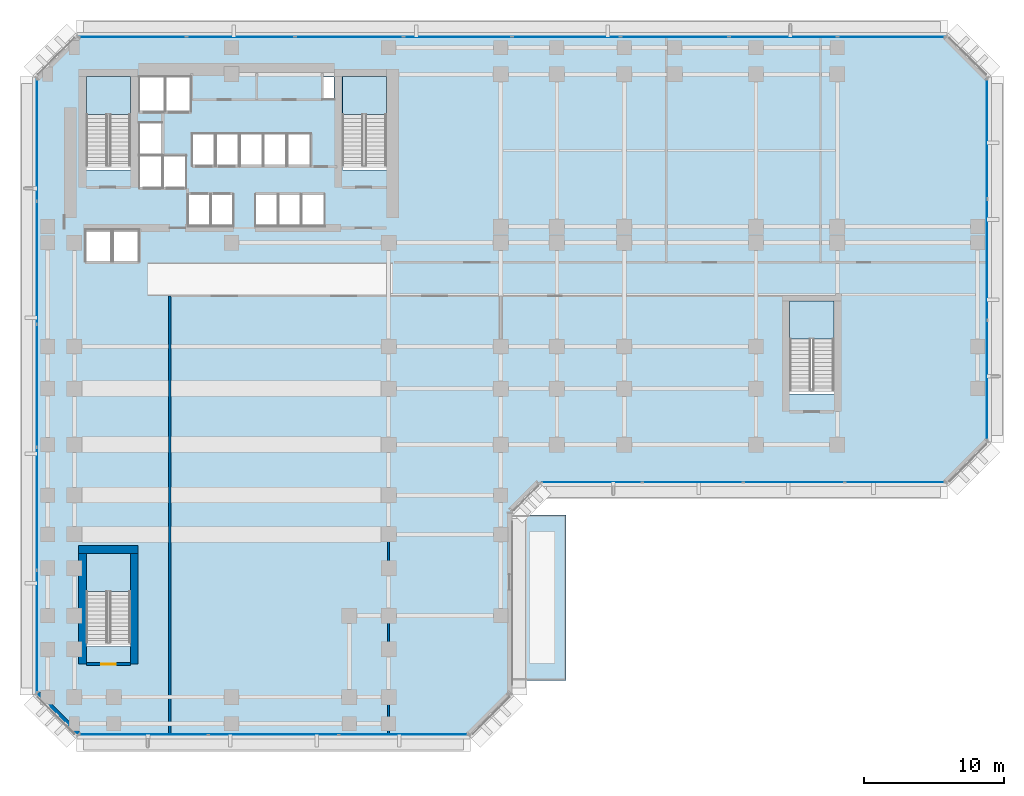
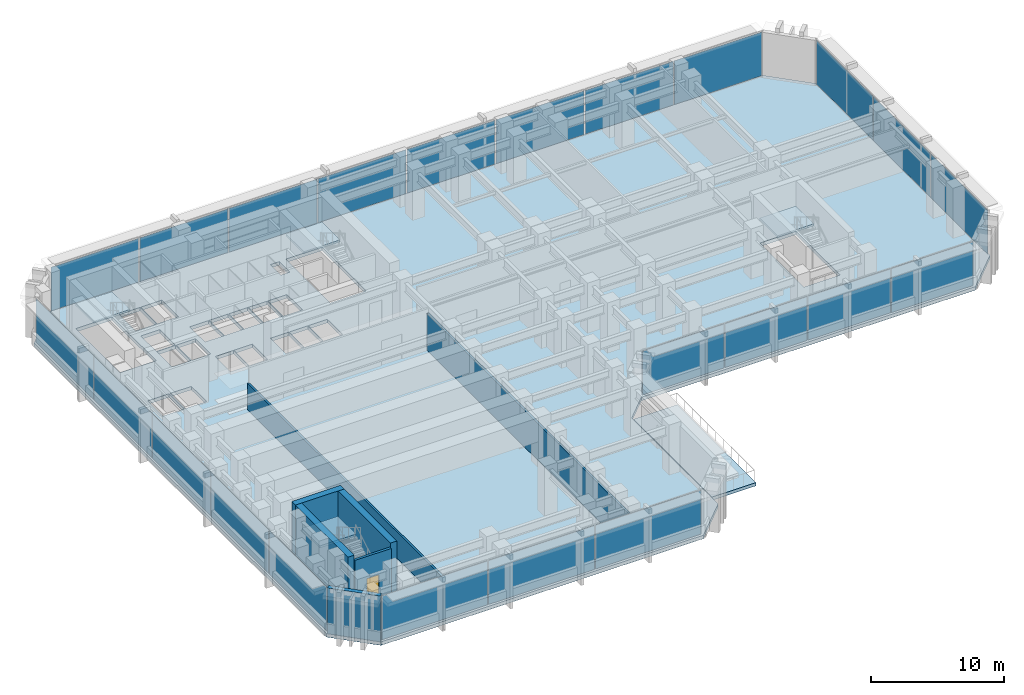
# One storey, part 6 of 16: 23 plates, 7 walls, 6 slabs, 1 door, 1 opening, 9 elements without a shape of their own.
"""IFC4 building model written with IfcOpenShell, lengths in metres."""

import ifcopenshell
import ifcopenshell.guid

model = None  # the IFC model being written
_history = None  # IfcOwnerHistory: only IFC2X3 demands one
_inside = {}  # id of a spatial element -> (the spatial element, [elements in it])
_under = {}  # id of a project, library or spatial element -> (it, [spatial elements below it])
_declared = {}  # id of a project -> (the project, [libraries it declares])
_typed = {}  # id of a type object -> (the type object, [elements of that type])
_made_of = {}  # id of a material, layer set ... -> (it, [elements and type objects made of it])


def new_model(schema):
    """Start an empty IFC model of exactly this schema.

    Asked for "IFC4X3", IfcOpenShell would pick the latest addendum, in which some entities
    have other attributes; the version numbers below select the first issue.
    IFC2X3 requires an IfcOwnerHistory on every rooted entity: one is made here for all.
    """
    global model, _history
    if schema == "IFC4X3":
        model = ifcopenshell.file(schema_version=(4, 3, 0, 0))
    else:
        model = ifcopenshell.file(schema=schema)
    _inside.clear()
    _under.clear()
    _declared.clear()
    _typed.clear()
    _made_of.clear()
    _history = None
    if model.schema == "IFC2X3":
        org = make("IfcOrganization", Name="unknown")
        user = make(
            "IfcPersonAndOrganization",
            ThePerson=make("IfcPerson", FamilyName="unknown"),
            TheOrganization=org,
        )
        app = make(
            "IfcApplication",
            ApplicationDeveloper=org,
            Version="unknown",
            ApplicationFullName="unknown",
            ApplicationIdentifier="unknown",
        )
        _history = make(
            "IfcOwnerHistory",
            OwningUser=user,
            OwningApplication=app,
            ChangeAction="ADDED",
            CreationDate=0,
        )
    return model


def make(cls, **values):
    """One entity of the class cls with the attributes given. An attribute that is None is left unset."""
    return model.create_entity(
        cls, **{name: value for name, value in values.items() if value is not None}
    )


def rooted(cls, **values):
    """An entity with a GlobalId (a new one), such as an element, a storey or a relation."""
    return make(cls, GlobalId=ifcopenshell.guid.new(), OwnerHistory=_history, **values)


def si_unit(unit_type, name, prefix=None):
    """IfcSIUnit, for example si_unit("LENGTHUNIT", "METRE", prefix="MILLI")."""
    return make("IfcSIUnit", UnitType=unit_type, Prefix=prefix, Name=name)


def assignment(units):
    """IfcUnitAssignment: the units of a project."""
    return None if units is None else make("IfcUnitAssignment", Units=units)


def point(xyz):
    """IfcCartesianPoint."""
    return None if xyz is None else make("IfcCartesianPoint", Coordinates=xyz)


def direction(xyz):
    """IfcDirection."""
    return None if xyz is None else make("IfcDirection", DirectionRatios=xyz)


def frame(location, z_axis=None, x_axis=None):
    """IfcAxis2Placement3D, a coordinate frame: its origin and axes. An axis left out is left unset."""
    return make(
        "IfcAxis2Placement3D",
        Location=point(location),
        Axis=direction(z_axis),
        RefDirection=direction(x_axis),
    )


def frame_2d(location, x_axis=None):
    """IfcAxis2Placement2D, a coordinate frame in the plane: its origin and x axis."""
    return make(
        "IfcAxis2Placement2D", Location=point(location), RefDirection=direction(x_axis)
    )


def origin():
    """The frame at (0, 0, 0) with its axes left unset."""
    return frame((0.0, 0.0, 0.0))


def origin_2d():
    """The frame at (0, 0) in the plane with its x axis left unset."""
    return frame_2d((0.0, 0.0))


def place(relative_to, where):
    """IfcLocalPlacement: puts the frame where relative to a parent placement (None: the world)."""
    return make(
        "IfcLocalPlacement", PlacementRelTo=relative_to, RelativePlacement=where
    )


def context(
    kind, dimensions, precision=None, world=None, true_north=None, identifier=None
):
    """IfcGeometricRepresentationContext, for example the 3D "Model" context."""
    return make(
        "IfcGeometricRepresentationContext",
        ContextIdentifier=identifier,
        ContextType=kind,
        CoordinateSpaceDimension=dimensions,
        Precision=precision,
        WorldCoordinateSystem=world,
        TrueNorth=true_north,
    )


def subcontext(parent, identifier, kind, view, scale=None):
    """IfcGeometricRepresentationSubContext, for example "Body" below "Model"."""
    return make(
        "IfcGeometricRepresentationSubContext",
        ContextIdentifier=identifier,
        ContextType=kind,
        ParentContext=parent,
        TargetScale=scale,
        TargetView=view,
    )


def project(units=None, contexts=None):
    """IfcProject with its units and contexts."""
    return rooted(
        "IfcProject",
        Name="project",
        RepresentationContexts=contexts,
        UnitsInContext=assignment(units),
    )


def spatial(cls, under=None, at=None, **own):
    """A site, building, storey or space (cls), placed at a placement, below another one or the project."""
    s = rooted(cls, ObjectPlacement=at, **own)
    if under is not None:
        _under.setdefault(under.id(), (under, []))[1].append(s)
    return s


def polyline(points):
    """IfcPolyline through the points."""
    return make("IfcPolyline", Points=[point(p) for p in points])


def profile(cls, at=None, kind="AREA", **sizes):
    """A parametric profile (cls). Its sizes go by their IFC names, for example OverallWidth=200.0."""
    return make(cls, ProfileType=kind, Position=at, **sizes)


def rectangle(**sizes):
    """IfcRectangleProfileDef."""
    return profile("IfcRectangleProfileDef", **sizes)


def outline(outer, holes=None, kind="AREA"):
    """IfcArbitraryClosedProfileDef: a profile drawn as a closed curve; with holes, ...WithVoids."""
    if holes is None:
        return make("IfcArbitraryClosedProfileDef", ProfileType=kind, OuterCurve=outer)
    return make(
        "IfcArbitraryProfileDefWithVoids",
        ProfileType=kind,
        OuterCurve=outer,
        InnerCurves=holes,
    )


def extrude(swept, where, along, depth):
    """IfcExtrudedAreaSolid: the profile swept, set in the frame where, extruded along a direction by depth."""
    return make(
        "IfcExtrudedAreaSolid",
        SweptArea=swept,
        Position=where,
        ExtrudedDirection=direction(along),
        Depth=depth,
    )


def shape(context_of_items, identifier, shape_type, items):
    """IfcShapeRepresentation: the items that make up one representation, for example the "Body"."""
    return make(
        "IfcShapeRepresentation",
        ContextOfItems=context_of_items,
        RepresentationIdentifier=identifier,
        RepresentationType=shape_type,
        Items=items,
    )


def material(Name=None, Category=None):
    """IfcMaterial."""
    return make("IfcMaterial", Name=Name, Category=Category)


def layer(
    of_material, thickness, ventilated=None, Name=None, Category=None, Priority=None
):
    """IfcMaterialLayer: one layer of a wall or slab, of a material (None: an air gap)."""
    return make(
        "IfcMaterialLayer",
        Material=of_material,
        LayerThickness=thickness,
        IsVentilated=ventilated,
        Name=Name,
        Category=Category,
        Priority=Priority,
    )


def layer_set(layers, Name=None):
    """IfcMaterialLayerSet."""
    return make("IfcMaterialLayerSet", MaterialLayers=layers, LayerSetName=Name)


def made_of(thing, what):
    """Note that an element or type object is made of a material, layer set ...; save() writes the relation."""
    if what is not None:
        _made_of.setdefault(what.id(), (what, []))[1].append(thing)
    return thing


def type_object(cls, material=None, **own):
    """A type object (cls), such as IfcWallType, which elements share."""
    return made_of(rooted(cls, **own), material)


def element(
    cls,
    number,
    at=None,
    inside=None,
    cuts=None,
    type_object=None,
    material=None,
    context=None,
    identifier="Body",
    shape_type=None,
    held_by="IfcProductDefinitionShape",
    body=None,
    shapes=None,
    **own,
):
    """One element of the class cls, such as IfcWall. Its Tag is "e" and its number.

    at: its placement. inside: the storey or other place that contains it. cuts: it is an
    opening in that element (IfcRelVoidsElement). A single representation is given by context,
    identifier, shape_type and body (its items); several are given by shapes. held_by: the class
    of the entity that holds the representations. save() writes the other relations.
    """
    e = rooted(cls, Tag="e%d" % number, ObjectPlacement=at, **own)
    if body is not None:
        shapes = [shape(context, identifier, shape_type, body)]
    if shapes is not None:
        e.Representation = make(held_by, Representations=shapes)
    if inside is not None:
        _inside.setdefault(inside.id(), (inside, []))[1].append(e)
    if cuts is not None:
        rooted(
            "IfcRelVoidsElement", RelatingBuildingElement=cuts, RelatedOpeningElement=e
        )
    if type_object is not None:
        _typed.setdefault(type_object.id(), (type_object, []))[1].append(e)
    return made_of(e, material)


def fill(opening, filler):
    """IfcRelFillsElement: the door or window that sits in an opening."""
    return rooted(
        "IfcRelFillsElement",
        RelatingOpeningElement=opening,
        RelatedBuildingElement=filler,
    )


def aggregate(whole, parts):
    """IfcRelAggregates: a whole, such as a stair, and the parts it consists of."""
    return rooted("IfcRelAggregates", RelatingObject=whole, RelatedObjects=parts)


def save(model, path):
    """Write the relations noted so far, then the file.

    IfcRelAggregates (storeys below a building ...), IfcRelContainedInSpatialStructure (elements
    in a storey), IfcRelDefinesByType, IfcRelAssociatesMaterial and IfcRelDeclares: one each for
    every whole, place, type object, material and project.
    """
    for whole, parts in _under.values():
        aggregate(whole, parts)
    for where, things in _inside.values():
        rooted(
            "IfcRelContainedInSpatialStructure",
            RelatedElements=things,
            RelatingStructure=where,
        )
    for kind, things in _typed.values():
        rooted("IfcRelDefinesByType", RelatedObjects=things, RelatingType=kind)
    for what, things in _made_of.values():
        rooted("IfcRelAssociatesMaterial", RelatedObjects=things, RelatingMaterial=what)
    for by, libraries in _declared.values():
        rooted("IfcRelDeclares", RelatingContext=by, RelatedDefinitions=libraries)
    model.write(path)


model = new_model("IFC4")

# Units and contexts
model_context = context("Model", 3, precision=1e-05, world=origin(), true_north=direction((0.0, 1.0)))
body_context = subcontext(model_context, "Body", "Model", "MODEL_VIEW")
ifc_project = project(units=[si_unit("LENGTHUNIT", "METRE"), si_unit("AREAUNIT", "SQUARE_METRE"), si_unit("VOLUMEUNIT", "CUBIC_METRE"), si_unit("PLANEANGLEUNIT", "RADIAN"), si_unit("MASSUNIT", "GRAM", prefix="KILO")], contexts=[model_context])

# Site, building, storey
site_placement = place(None, origin())
site = spatial("IfcSite", under=ifc_project, at=site_placement, CompositionType="ELEMENT")
building_placement = place(site_placement, origin())
building = spatial("IfcBuilding", under=site, at=building_placement, Name="Kefirva Bronze Tower", CompositionType="ELEMENT")
storey_placement = place(building_placement, frame((0.0, 0.0, 21.1201171875)))
storey = spatial("IfcBuildingStorey", under=building, at=storey_placement, Name="L04", CompositionType="ELEMENT", Elevation=21.1201171875)

# Slabs
ifc_material_1 = material(Name="Concrete C40/50", Category="concrete")
ifc_layer_1 = layer(ifc_material_1, 0.320068359375, Name="Concrete C40/50")
ifc_layer_set_1 = layer_set([ifc_layer_1], Name="Concrete C40/50")
slab_type_1 = type_object("IfcSlabType", Name="RC Podium Floor Slab 320mm", PredefinedType="FLOOR", material=ifc_layer_set_1)
slab_1_placement = place(storey_placement, frame((0.0, 0.0, -0.320068359375)))
element("IfcSlab", 1, at=slab_1_placement, inside=storey, type_object=slab_type_1, Name="L04 Structural Floor Slab", PredefinedType="FLOOR", context=body_context, shape_type="SweptSolid", body=[
    extrude(outline(polyline([(-2.0, 1.0), (-2.0, 45.0), (1.0, 48.0), (63.0, 48.0), (66.0, 45.0), (66.0, 19.0), (63.0, 16.0), (34.0, 16.0), (32.0, 14.0), (32.0, 1.0), (29.0, -2.0), (1.0, -2.0), (-2.0, 1.0)]), holes=[polyline([(54.949951171875, 22.39990234375), (54.949951171875, 29.050048828125), (51.800048828125, 29.050048828125), (51.800048828125, 22.39990234375), (54.949951171875, 22.39990234375)]), polyline([(19.89990234375, 38.39990234375), (23.050048828125, 38.39990234375), (23.050048828125, 45.050048828125), (19.89990234375, 45.050048828125), (19.89990234375, 38.39990234375)]), polyline([(18.52001953125, 43.419921875), (19.320068359375, 43.419921875), (19.320068359375, 45.0), (18.52001953125, 45.0), (18.52001953125, 43.419921875)]), polyline([(17.0, 34.35009765625), (18.64990234375, 34.35009765625), (18.64990234375, 36.64990234375), (17.0, 36.64990234375), (17.0, 34.35009765625)]), polyline([(17.64990234375, 38.679931640625), (17.64990234375, 40.97998046875), (16.0, 40.97998046875), (16.0, 38.679931640625), (17.64990234375, 38.679931640625)]), polyline([(15.35009765625, 34.35009765625), (16.949951171875, 34.35009765625), (16.949951171875, 36.64990234375), (15.35009765625, 36.64990234375), (15.35009765625, 34.35009765625)]), polyline([(14.300048828125, 38.679931640625), (15.929931640625, 38.679931640625), (15.929931640625, 40.97998046875), (14.300048828125, 40.97998046875), (14.300048828125, 38.679931640625)]), polyline([(15.300048828125, 34.35009765625), (15.300048828125, 36.64990234375), (13.699951171875, 36.64990234375), (13.699951171875, 34.35009765625), (15.300048828125, 34.35009765625)]), polyline([(12.60009765625, 38.679931640625), (14.22998046875, 38.679931640625), (14.22998046875, 40.97998046875), (12.60009765625, 40.97998046875), (12.60009765625, 38.679931640625)]), polyline([(12.530029296875, 38.679931640625), (12.530029296875, 40.97998046875), (10.89990234375, 40.97998046875), (10.89990234375, 38.679931640625), (12.530029296875, 38.679931640625)]), polyline([(12.139892578125, 34.35009765625), (12.139892578125, 36.64990234375), (10.5400390625, 36.64990234375), (10.5400390625, 34.35009765625), (12.139892578125, 34.35009765625)]), polyline([(9.199951171875, 38.679931640625), (10.830078125, 38.679931640625), (10.830078125, 40.97998046875), (9.199951171875, 40.97998046875), (9.199951171875, 38.679931640625)]), polyline([(8.89990234375, 34.35009765625), (10.5, 34.35009765625), (10.5, 36.64990234375), (8.89990234375, 36.64990234375), (8.89990234375, 34.35009765625)]), polyline([(7.300048828125, 42.550048828125), (9.1201171875, 42.550048828125), (9.1201171875, 45.050048828125), (7.300048828125, 45.050048828125), (7.300048828125, 42.550048828125)]), polyline([(8.780029296875, 37.10009765625), (8.780029296875, 39.39990234375), (7.139892578125, 39.39990234375), (7.139892578125, 37.10009765625), (8.780029296875, 37.10009765625)]), polyline([(5.419921875, 42.550048828125), (7.239990234375, 42.550048828125), (7.239990234375, 45.050048828125), (5.419921875, 45.050048828125), (5.419921875, 42.550048828125)]), polyline([(5.419921875, 39.47998046875), (7.06005859375, 39.47998046875), (7.06005859375, 41.780029296875), (5.419921875, 41.780029296875), (5.419921875, 39.47998046875)]), polyline([(5.419921875, 37.10009765625), (7.06005859375, 37.10009765625), (7.06005859375, 39.39990234375), (5.419921875, 39.39990234375), (5.419921875, 37.10009765625)]), polyline([(5.39990234375, 31.85009765625), (5.39990234375, 34.14990234375), (3.550048828125, 34.14990234375), (3.550048828125, 31.85009765625), (5.39990234375, 31.85009765625)]), polyline([(4.800048828125, 38.39990234375), (4.800048828125, 45.050048828125), (1.64990234375, 45.050048828125), (1.64990234375, 38.39990234375), (4.800048828125, 38.39990234375)]), polyline([(4.800048828125, 4.39990234375), (4.800048828125, 11.050048828125), (1.64990234375, 11.050048828125), (1.64990234375, 4.39990234375), (4.800048828125, 4.39990234375)]), polyline([(3.449951171875, 31.85009765625), (3.449951171875, 34.14990234375), (1.60009765625, 34.14990234375), (1.60009765625, 31.85009765625), (3.449951171875, 31.85009765625)])]), origin(), (0.0, 0.0, 1.0), 0.320068359375),
])
ifc_layer_2 = layer(ifc_material_1, 0.300048828125, Name="Concrete C40/50")
ifc_layer_set_2 = layer_set([ifc_layer_2], Name="Concrete C40/50")
slab_type_2 = type_object("IfcSlabType", Name="RC Podium Outdoor Terrace Slab 300mm", PredefinedType="ROOF", material=ifc_layer_set_2)
slab_2_placement = place(storey_placement, frame((0.0, 0.0, -0.300048828125)))
element("IfcSlab", 2, at=slab_2_placement, inside=storey, type_object=slab_type_2, Name="L04 Planted Sky-Garden Terrace Slab", PredefinedType="ROOF", context=body_context, shape_type="SweptSolid", body=[
    extrude(outline(polyline([(32.050048828125, 2.0), (35.85009765625, 2.0), (35.85009765625, 13.800048828125), (32.050048828125, 13.800048828125), (32.050048828125, 2.0)])), origin(), (0.0, 0.0, 1.0), 0.300048828125),
])

# Stair, slab
stair_type = type_object("IfcStairType", Name="RC Dogleg Protected Stair 28R", PredefinedType="HALF_TURN_STAIR", material=ifc_material_1)
stair_1_placement = place(storey_placement, origin())
stair_1 = element("IfcStair", 3, at=stair_1_placement, inside=storey, type_object=stair_type, Name="L04 Protected Exit Stair 1", PredefinedType="HALF_TURN_STAIR")
ifc_layer_3 = layer(ifc_material_1, 0.199951171875, Name="Concrete C40/50")
ifc_layer_set_3 = layer_set([ifc_layer_3], Name="Concrete C40/50")
slab_type_3 = type_object("IfcSlabType", Name="RC Stair Landing Slab 200mm", PredefinedType="LANDING", material=ifc_layer_set_3)
slab_3_placement = place(storey_placement, frame((0.0, 0.0, 2.10986328125)))
slab_3 = element("IfcSlab", 4, at=slab_3_placement, type_object=slab_type_3, Name="ST-1 landing 1", PredefinedType="LANDING", context=body_context, shape_type="SweptSolid", body=[
    extrude(outline(polyline([(4.800048828125, 42.340087890625), (4.800048828125, 45.050048828125), (1.64990234375, 45.050048828125), (1.64990234375, 42.340087890625), (4.800048828125, 42.340087890625)])), origin(), (0.0, 0.0, 1.0), 0.199951171875),
])
aggregate(stair_1, [slab_3])

stair_2_placement = place(storey_placement, origin())
stair_2 = element("IfcStair", 5, at=stair_2_placement, inside=storey, type_object=stair_type, Name="L04 Protected Exit Stair 2", PredefinedType="HALF_TURN_STAIR")
slab_4_placement = place(storey_placement, frame((0.0, 0.0, 2.10986328125)))
slab_4 = element("IfcSlab", 6, at=slab_4_placement, type_object=slab_type_3, Name="ST-2 landing 1", PredefinedType="LANDING", context=body_context, shape_type="SweptSolid", body=[
    extrude(outline(polyline([(23.050048828125, 42.340087890625), (23.050048828125, 45.050048828125), (19.89990234375, 45.050048828125), (19.89990234375, 42.340087890625), (23.050048828125, 42.340087890625)])), origin(), (0.0, 0.0, 1.0), 0.199951171875),
])
aggregate(stair_2, [slab_4])

stair_3_placement = place(storey_placement, origin())
stair_3 = element("IfcStair", 7, at=stair_3_placement, inside=storey, type_object=stair_type, Name="L04 Podium Exit Stair 3", PredefinedType="HALF_TURN_STAIR")
slab_5_placement = place(storey_placement, frame((0.0, 0.0, 2.10986328125)))
slab_5 = element("IfcSlab", 8, at=slab_5_placement, type_object=slab_type_3, Name="ST-3 landing 1", PredefinedType="LANDING", context=body_context, shape_type="SweptSolid", body=[
    extrude(outline(polyline([(4.800048828125, 8.340087890625), (4.800048828125, 11.050048828125), (1.64990234375, 11.050048828125), (1.64990234375, 8.340087890625), (4.800048828125, 8.340087890625)])), origin(), (0.0, 0.0, 1.0), 0.199951171875),
])
aggregate(stair_3, [slab_5])

stair_4_placement = place(storey_placement, origin())
stair_4 = element("IfcStair", 9, at=stair_4_placement, inside=storey, type_object=stair_type, Name="L04 Podium Exit Stair 4", PredefinedType="HALF_TURN_STAIR")
slab_6_placement = place(storey_placement, frame((0.0, 0.0, 2.10986328125)))
slab_6 = element("IfcSlab", 10, at=slab_6_placement, type_object=slab_type_3, Name="ST-4 landing 1", PredefinedType="LANDING", context=body_context, shape_type="SweptSolid", body=[
    extrude(outline(polyline([(54.949951171875, 26.340087890625), (54.949951171875, 29.050048828125), (51.800048828125, 29.050048828125), (51.800048828125, 26.340087890625), (54.949951171875, 26.340087890625)])), origin(), (0.0, 0.0, 1.0), 0.199951171875),
])
aggregate(stair_4, [slab_6])

# Curtain wall, plates
ifc_material_2 = material(Name="Bronze anodised aluminium", Category="aluminium")
ifc_layer_4 = layer(ifc_material_2, 0.239990234375, Name="Bronze anodised aluminium")
ifc_layer_set_4 = layer_set([ifc_layer_4], Name="Bronze anodised aluminium")
curtain_wall_type = type_object("IfcCurtainWallType", Name="Podium Double-Height Glazed Curtain Wall", PredefinedType="USERDEFINED", material=ifc_layer_set_4)
curtain_wall_1_placement = place(storey_placement, origin())
curtain_wall_1 = element("IfcCurtainWall", 11, at=curtain_wall_1_placement, inside=storey, type_object=curtain_wall_type, Name="L04 Curtain Wall 1", ObjectType="UNITISED CURTAIN WALL", PredefinedType="USERDEFINED")
ifc_material_3 = material(Name="Laminated low-E double glazing", Category="glass")
ifc_layer_5 = layer(ifc_material_3, 0.031982421875, Name="Laminated low-E double glazing")
ifc_layer_set_5 = layer_set([ifc_layer_5], Name="Laminated low-E double glazing")
plate_type = type_object("IfcPlateType", Name="Solar-Control Low-E Vision Panel 32mm", PredefinedType="CURTAIN_PANEL", material=ifc_layer_set_5)
plate_1_placement = place(storey_placement, frame((5.725830078125, -1.8798828125, 0.08984375), z_axis=(0.0, 0.0, 1.0), x_axis=(1.0, 0.0, 0.0)))
plate_1 = element("IfcPlate", 12, at=plate_1_placement, type_object=plate_type, Name="CW-05 panel 1.1", PredefinedType="CURTAIN_PANEL", context=body_context, shape_type="SweptSolid", body=[
    extrude(rectangle(XDim=9.16162109375, YDim=0.031982421875, at=origin_2d()), origin(), (0.0, 0.0, 1.0), 4.02001953125),
])
plate_2_placement = place(storey_placement, frame((15.0, -1.8798828125, 0.08984375), z_axis=(0.0, 0.0, 1.0), x_axis=(1.0, 0.0, 0.0)))
plate_2 = element("IfcPlate", 13, at=plate_2_placement, type_object=plate_type, Name="CW-05 panel 2.1", PredefinedType="CURTAIN_PANEL", context=body_context, shape_type="SweptSolid", body=[
    extrude(rectangle(XDim=9.206787109375, YDim=0.031982421875, at=origin_2d()), origin(), (0.0, 0.0, 1.0), 4.02001953125),
])
plate_3_placement = place(storey_placement, frame((24.274169921875, -1.8798828125, 0.08984375), z_axis=(0.0, 0.0, 1.0), x_axis=(1.0, 0.0, 0.0)))
plate_3 = element("IfcPlate", 14, at=plate_3_placement, type_object=plate_type, Name="CW-05 panel 3.1", PredefinedType="CURTAIN_PANEL", context=body_context, shape_type="SweptSolid", body=[
    extrude(rectangle(XDim=9.16162109375, YDim=0.031982421875, at=origin_2d()), origin(), (0.0, 0.0, 1.0), 4.02001953125),
])
aggregate(curtain_wall_1, [plate_1, plate_2, plate_3])

curtain_wall_2_placement = place(storey_placement, origin())
curtain_wall_2 = element("IfcCurtainWall", 15, at=curtain_wall_2_placement, inside=storey, type_object=curtain_wall_type, Name="L04 Curtain Wall 2", ObjectType="UNITISED CURTAIN WALL", PredefinedType="USERDEFINED")
plate_4_placement = place(storey_placement, frame((37.688720703125, 16.1201171875, 0.08984375), z_axis=(0.0, 0.0, 1.0), x_axis=(1.0, 0.0, 0.0)))
plate_4 = element("IfcPlate", 16, at=plate_4_placement, type_object=plate_type, Name="CW-05 panel 1.1", PredefinedType="CURTAIN_PANEL", context=body_context, shape_type="SweptSolid", body=[
    extrude(rectangle(XDim=7.08740234375, YDim=0.031982421875, at=origin_2d()), origin(), (0.0, 0.0, 1.0), 4.02001953125),
])
plate_5_placement = place(storey_placement, frame((44.888671875, 16.1201171875, 0.08984375), z_axis=(0.0, 0.0, 1.0), x_axis=(1.0, 0.0, 0.0)))
plate_5 = element("IfcPlate", 17, at=plate_5_placement, type_object=plate_type, Name="CW-05 panel 2.1", PredefinedType="CURTAIN_PANEL", context=body_context, shape_type="SweptSolid", body=[
    extrude(rectangle(XDim=7.132568359375, YDim=0.031982421875, at=origin_2d()), origin(), (0.0, 0.0, 1.0), 4.02001953125),
])
plate_6_placement = place(storey_placement, frame((52.111328125, 16.1201171875, 0.08984375), z_axis=(0.0, 0.0, 1.0), x_axis=(1.0, 0.0, 0.0)))
plate_6 = element("IfcPlate", 18, at=plate_6_placement, type_object=plate_type, Name="CW-05 panel 3.1", PredefinedType="CURTAIN_PANEL", context=body_context, shape_type="SweptSolid", body=[
    extrude(rectangle(XDim=7.132568359375, YDim=0.031982421875, at=origin_2d()), origin(), (0.0, 0.0, 1.0), 4.02001953125),
])
plate_7_placement = place(storey_placement, frame((59.311279296875, 16.1201171875, 0.08984375), z_axis=(0.0, 0.0, 1.0), x_axis=(1.0, 0.0, 0.0)))
plate_7 = element("IfcPlate", 19, at=plate_7_placement, type_object=plate_type, Name="CW-05 panel 4.1", PredefinedType="CURTAIN_PANEL", context=body_context, shape_type="SweptSolid", body=[
    extrude(rectangle(XDim=7.08740234375, YDim=0.031982421875, at=origin_2d()), origin(), (0.0, 0.0, 1.0), 4.02001953125),
])
aggregate(curtain_wall_2, [plate_4, plate_5, plate_6, plate_7])

curtain_wall_3_placement = place(storey_placement, origin())
curtain_wall_3 = element("IfcCurtainWall", 20, at=curtain_wall_3_placement, inside=storey, type_object=curtain_wall_type, Name="L04 Curtain Wall 3", ObjectType="UNITISED CURTAIN WALL", PredefinedType="USERDEFINED")
plate_8_placement = place(storey_placement, frame((65.8798828125, 23.392578125, 0.08984375), z_axis=(0.0, 0.0, 1.0), x_axis=(0.0, 1.0, 0.0)))
plate_8 = element("IfcPlate", 21, at=plate_8_placement, type_object=plate_type, Name="CW-05 panel 1.1", PredefinedType="CURTAIN_PANEL", context=body_context, shape_type="SweptSolid", body=[
    extrude(rectangle(XDim=8.4951171875, YDim=0.031982421875, at=origin_2d()), origin(), (0.0, 0.0, 1.0), 4.02001953125),
])
plate_9_placement = place(storey_placement, frame((65.8798828125, 32.0, 0.08984375), z_axis=(0.0, 0.0, 1.0), x_axis=(0.0, 1.0, 0.0)))
plate_9 = element("IfcPlate", 22, at=plate_9_placement, type_object=plate_type, Name="CW-05 panel 2.1", PredefinedType="CURTAIN_PANEL", context=body_context, shape_type="SweptSolid", body=[
    extrude(rectangle(XDim=8.5400390625, YDim=0.031982421875, at=origin_2d()), origin(), (0.0, 0.0, 1.0), 4.02001953125),
])
plate_10_placement = place(storey_placement, frame((65.8798828125, 40.607421875, 0.08984375), z_axis=(0.0, 0.0, 1.0), x_axis=(0.0, 1.0, 0.0)))
plate_10 = element("IfcPlate", 23, at=plate_10_placement, type_object=plate_type, Name="CW-05 panel 3.1", PredefinedType="CURTAIN_PANEL", context=body_context, shape_type="SweptSolid", body=[
    extrude(rectangle(XDim=8.4951171875, YDim=0.031982421875, at=origin_2d()), origin(), (0.0, 0.0, 1.0), 4.02001953125),
])
aggregate(curtain_wall_3, [plate_8, plate_9, plate_10])

curtain_wall_4_placement = place(storey_placement, origin())
curtain_wall_4 = element("IfcCurtainWall", 24, at=curtain_wall_4_placement, inside=storey, type_object=curtain_wall_type, Name="L04 Curtain Wall 4", ObjectType="UNITISED CURTAIN WALL", PredefinedType="USERDEFINED")
plate_11_placement = place(storey_placement, frame((59.054443359375, 47.8798828125, 0.08984375), z_axis=(0.0, 0.0, 1.0), x_axis=(-1.0, 0.0, 0.0)))
plate_11 = element("IfcPlate", 25, at=plate_11_placement, type_object=plate_type, Name="CW-05 panel 1.1", PredefinedType="CURTAIN_PANEL", context=body_context, shape_type="SweptSolid", body=[
    extrude(rectangle(XDim=7.601318359375, YDim=0.031982421875, at=origin_2d()), origin(), (0.0, 0.0, 1.0), 4.02001953125),
])
plate_12_placement = place(storey_placement, frame((51.340576171875, 47.8798828125, 0.08984375), z_axis=(0.0, 0.0, 1.0), x_axis=(-1.0, 0.0, 0.0)))
plate_12 = element("IfcPlate", 26, at=plate_12_placement, type_object=plate_type, Name="CW-05 panel 2.1", PredefinedType="CURTAIN_PANEL", context=body_context, shape_type="SweptSolid", body=[
    extrude(rectangle(XDim=7.646240234375, YDim=0.031982421875, at=origin_2d()), origin(), (0.0, 0.0, 1.0), 4.02001953125),
])
plate_13_placement = place(storey_placement, frame((43.6044921875, 47.8798828125, 0.08984375), z_axis=(0.0, 0.0, 1.0), x_axis=(-1.0, 0.0, 0.0)))
plate_13 = element("IfcPlate", 27, at=plate_13_placement, type_object=plate_type, Name="CW-05 panel 3.1", PredefinedType="CURTAIN_PANEL", context=body_context, shape_type="SweptSolid", body=[
    extrude(rectangle(XDim=7.646240234375, YDim=0.031982421875, at=origin_2d()), origin(), (0.0, 0.0, 1.0), 4.02001953125),
])
plate_14_placement = place(storey_placement, frame((35.8681640625, 47.8798828125, 0.08984375), z_axis=(0.0, 0.0, 1.0), x_axis=(-1.0, 0.0, 0.0)))
plate_14 = element("IfcPlate", 28, at=plate_14_placement, type_object=plate_type, Name="CW-05 panel 4.1", PredefinedType="CURTAIN_PANEL", context=body_context, shape_type="SweptSolid", body=[
    extrude(rectangle(XDim=7.646240234375, YDim=0.031982421875, at=origin_2d()), origin(), (0.0, 0.0, 1.0), 4.02001953125),
])
plate_15_placement = place(storey_placement, frame((28.1318359375, 47.8798828125, 0.08984375), z_axis=(0.0, 0.0, 1.0), x_axis=(-1.0, 0.0, 0.0)))
plate_15 = element("IfcPlate", 29, at=plate_15_placement, type_object=plate_type, Name="CW-05 panel 5.1", PredefinedType="CURTAIN_PANEL", context=body_context, shape_type="SweptSolid", body=[
    extrude(rectangle(XDim=7.646240234375, YDim=0.031982421875, at=origin_2d()), origin(), (0.0, 0.0, 1.0), 4.02001953125),
])
plate_16_placement = place(storey_placement, frame((20.3955078125, 47.8798828125, 0.08984375), z_axis=(0.0, 0.0, 1.0), x_axis=(-1.0, 0.0, 0.0)))
plate_16 = element("IfcPlate", 30, at=plate_16_placement, type_object=plate_type, Name="CW-05 panel 6.1", PredefinedType="CURTAIN_PANEL", context=body_context, shape_type="SweptSolid", body=[
    extrude(rectangle(XDim=7.646240234375, YDim=0.031982421875, at=origin_2d()), origin(), (0.0, 0.0, 1.0), 4.02001953125),
])
plate_17_placement = place(storey_placement, frame((12.659423828125, 47.8798828125, 0.08984375), z_axis=(0.0, 0.0, 1.0), x_axis=(-1.0, 0.0, 0.0)))
plate_17 = element("IfcPlate", 31, at=plate_17_placement, type_object=plate_type, Name="CW-05 panel 7.1", PredefinedType="CURTAIN_PANEL", context=body_context, shape_type="SweptSolid", body=[
    extrude(rectangle(XDim=7.646240234375, YDim=0.031982421875, at=origin_2d()), origin(), (0.0, 0.0, 1.0), 4.02001953125),
])
plate_18_placement = place(storey_placement, frame((4.945556640625, 47.8798828125, 0.08984375), z_axis=(0.0, 0.0, 1.0), x_axis=(-1.0, 0.0, 0.0)))
plate_18 = element("IfcPlate", 32, at=plate_18_placement, type_object=plate_type, Name="CW-05 panel 8.1", PredefinedType="CURTAIN_PANEL", context=body_context, shape_type="SweptSolid", body=[
    extrude(rectangle(XDim=7.601318359375, YDim=0.031982421875, at=origin_2d()), origin(), (0.0, 0.0, 1.0), 4.02001953125),
])
aggregate(curtain_wall_4, [plate_11, plate_12, plate_13, plate_14, plate_15, plate_16, plate_17, plate_18])

curtain_wall_5_placement = place(storey_placement, origin())
curtain_wall_5 = element("IfcCurtainWall", 33, at=curtain_wall_5_placement, inside=storey, type_object=curtain_wall_type, Name="L04 Curtain Wall 5", ObjectType="UNITISED CURTAIN WALL", PredefinedType="USERDEFINED")
plate_19_placement = place(storey_placement, frame((-1.8798828125, 40.533447265625, 0.08984375), z_axis=(0.0, 0.0, 1.0), x_axis=(0.0, -1.0, 0.0)))
plate_19 = element("IfcPlate", 34, at=plate_19_placement, type_object=plate_type, Name="CW-05 panel 1.1", PredefinedType="CURTAIN_PANEL", context=body_context, shape_type="SweptSolid", body=[
    extrude(rectangle(XDim=8.64306640625, YDim=0.031982421875, at=origin_2d()), origin(), (0.0, 0.0, 1.0), 4.02001953125),
])
plate_20_placement = place(storey_placement, frame((-1.8798828125, 31.778076171875, 0.08984375), z_axis=(0.0, 0.0, 1.0), x_axis=(0.0, -1.0, 0.0)))
plate_20 = element("IfcPlate", 35, at=plate_20_placement, type_object=plate_type, Name="CW-05 panel 2.1", PredefinedType="CURTAIN_PANEL", context=body_context, shape_type="SweptSolid", body=[
    extrude(rectangle(XDim=8.68798828125, YDim=0.031982421875, at=origin_2d()), origin(), (0.0, 0.0, 1.0), 4.02001953125),
])
plate_21_placement = place(storey_placement, frame((-1.8798828125, 23.0, 0.08984375), z_axis=(0.0, 0.0, 1.0), x_axis=(0.0, -1.0, 0.0)))
plate_21 = element("IfcPlate", 36, at=plate_21_placement, type_object=plate_type, Name="CW-05 panel 3.1", PredefinedType="CURTAIN_PANEL", context=body_context, shape_type="SweptSolid", body=[
    extrude(rectangle(XDim=8.68798828125, YDim=0.031982421875, at=origin_2d()), origin(), (0.0, 0.0, 1.0), 4.02001953125),
])
plate_22_placement = place(storey_placement, frame((-1.8798828125, 14.221923828125, 0.08984375), z_axis=(0.0, 0.0, 1.0), x_axis=(0.0, -1.0, 0.0)))
plate_22 = element("IfcPlate", 37, at=plate_22_placement, type_object=plate_type, Name="CW-05 panel 4.1", PredefinedType="CURTAIN_PANEL", context=body_context, shape_type="SweptSolid", body=[
    extrude(rectangle(XDim=8.68798828125, YDim=0.031982421875, at=origin_2d()), origin(), (0.0, 0.0, 1.0), 4.02001953125),
])
plate_23_placement = place(storey_placement, frame((-1.8798828125, 5.466552734375, 0.08984375), z_axis=(0.0, 0.0, 1.0), x_axis=(0.0, -1.0, 0.0)))
plate_23 = element("IfcPlate", 38, at=plate_23_placement, type_object=plate_type, Name="CW-05 panel 5.1", PredefinedType="CURTAIN_PANEL", context=body_context, shape_type="SweptSolid", body=[
    extrude(rectangle(XDim=8.64306640625, YDim=0.031982421875, at=origin_2d()), origin(), (0.0, 0.0, 1.0), 4.02001953125),
])
aggregate(curtain_wall_5, [plate_19, plate_20, plate_21, plate_22, plate_23])

# Wall, opening, door
ifc_material_4 = material(Name="Gypsum fireboard shaftwall")
ifc_layer_6 = layer(ifc_material_4, 0.219970703125, Name="Gypsum fireboard shaftwall")
ifc_layer_set_6 = layer_set([ifc_layer_6], Name="Gypsum fireboard shaftwall")
wall_type_1 = type_object("IfcWallType", Name="Fire-Rated Shaft Enclosure Wall 220mm", PredefinedType="PARTITIONING", material=ifc_layer_set_6)
wall_1_placement = place(storey_placement, frame((1.64990234375, 3.14990234375, 0.0), z_axis=(0.0, 0.0, 1.0), x_axis=(1.0, 0.0, 0.0)))
wall_1 = element("IfcWall", 39, at=wall_1_placement, inside=storey, type_object=wall_type_1, Name="L04 Partition W-L04-ST3S", PredefinedType="PARTITIONING", context=body_context, shape_type="SweptSolid", body=[
    extrude(rectangle(XDim=3.150146484375, YDim=0.219970703125, at=frame_2d((1.5751953125, 0.0))), origin(), (0.0, 0.0, 1.0), 4.199951171875),
])
opening_placement = place(wall_1_placement, frame((2.10009765625, 0.0, 0.0), z_axis=(0.0, 0.0, 1.0), x_axis=(-1.0, 0.0, 0.0)))
opening = element("IfcOpeningElement", 40, at=opening_placement, cuts=wall_1, Name="Opening L04-D-ST3", PredefinedType="OPENING", context=body_context, shape_type="SweptSolid", body=[
    extrude(rectangle(XDim=1.050048828125, YDim=2.14990234375, at=frame_2d((0.52490234375, 1.074951171875))), frame((0.0, 0.1201171875, 0.0), z_axis=(0.0, -1.0, 0.0), x_axis=(1.0, 0.0, 0.0)), (0.0, 0.0, 1.0), 0.239990234375),
])
ifc_material_5 = material(Name="Painted galvanized steel", Category="steel")
door_type = type_object("IfcDoorType", Name="Fire Stair Enclosure Door 1050x2150 FD90S", OperationType="NOTDEFINED", PredefinedType="DOOR", material=ifc_material_5)
door_placement = place(opening_placement, origin())
door = element("IfcDoor", 41, at=door_placement, inside=storey, type_object=door_type, Name="Door L04-D-ST3", OperationType="SINGLE_SWING_LEFT", OverallHeight=2.14990234375, OverallWidth=1.050048828125, PredefinedType="DOOR", context=body_context, shape_type="SweptSolid", body=[
    extrude(rectangle(XDim=1.050048828125, YDim=2.14990234375, at=frame_2d((0.52490234375, 1.074951171875))), frame((0.0, 0.02490234375, 0.0), z_axis=(0.0, -1.0, 0.0), x_axis=(1.0, 0.0, 0.0)), (0.0, 0.0, 1.0), 0.050048828125),
])
fill(opening, door)

# Walls
ifc_material_6 = material(Name="Precast concrete C40/50", Category="concrete")
ifc_layer_7 = layer(ifc_material_6, 0.360107421875, Name="Precast concrete C40/50")
ifc_layer_set_7 = layer_set([ifc_layer_7], Name="Precast concrete C40/50")
wall_type_2 = type_object("IfcWallType", Name="Precast Podium Facade Wall 360mm", PredefinedType="SOLIDWALL", material=ifc_layer_set_7)
wall_2_placement = place(storey_placement, frame((-1.833740234375, 1.08837890625, 0.0), z_axis=(0.0, 0.0, 1.0), x_axis=(0.707106781187, -0.707106781187, 0.0)))
element("IfcWall", 42, at=wall_2_placement, inside=storey, type_object=wall_type_2, Name="L04 Exterior Facade Wall 7", PredefinedType="SOLIDWALL", context=body_context, shape_type="SweptSolid", body=[
    extrude(rectangle(XDim=4.132568359375, YDim=0.360107421875, at=frame_2d((2.06640625, 0.0))), origin(), (0.0, 0.0, 1.0), 4.199951171875),
])
ifc_material_7 = material(Name="Gypsum acoustic partition")
ifc_layer_8 = layer(ifc_material_7, 0.159912109375, Name="Gypsum acoustic partition")
ifc_layer_set_8 = layer_set([ifc_layer_8], Name="Gypsum acoustic partition")
wall_type_3 = type_object("IfcWallType", Name="Protected Corridor Partition 160mm", PredefinedType="PARTITIONING", material=ifc_layer_set_8)
wall_3_placement = place(storey_placement, frame((7.60009765625, -1.81005859375, 0.0), z_axis=(0.0, 0.0, 1.0), x_axis=(0.0, 1.0, 0.0)))
element("IfcWall", 43, at=wall_3_placement, inside=storey, type_object=wall_type_3, Name="L04 Partition W-L04-SWCE", PredefinedType="PARTITIONING", context=body_context, shape_type="SweptSolid", body=[
    extrude(rectangle(XDim=31.2099609375, YDim=0.159912109375, at=frame_2d((15.60498046875, 0.0))), origin(), (0.0, 0.0, 1.0), 2.419921875),
])
wall_4_placement = place(storey_placement, frame((23.199951171875, -1.81005859375, 0.0), z_axis=(0.0, 0.0, 1.0), x_axis=(0.0, 1.0, 0.0)))
element("IfcWall", 44, at=wall_4_placement, inside=storey, type_object=wall_type_3, Name="L04 Partition W-L04-DINE", PredefinedType="PARTITIONING", context=body_context, shape_type="SweptSolid", body=[
    extrude(rectangle(XDim=31.2099609375, YDim=0.159912109375, at=frame_2d((15.60498046875, 0.0))), origin(), (0.0, 0.0, 1.0), 3.384765625),
])
ifc_material_8 = material(Name="Concrete C50/60", Category="concrete")
ifc_layer_9 = layer(ifc_material_8, 0.550048828125, Name="Concrete C50/60")
ifc_layer_set_9 = layer_set([ifc_layer_9], Name="Concrete C50/60")
wall_type_4 = type_object("IfcWallType", Name="RC Rear Core Interior Wall 550mm", PredefinedType="SHEAR", material=ifc_layer_set_9)
for number, where, z_axis, x_axis, name in (
    (45, (1.3701171875, 3.14990234375, 0.0), (0.0, 0.0, 1.0), (0.0, 1.0, 0.0), "L04 Stair 3 West Shear Wall"),
    (46, (5.070068359375, 3.14990234375, 0.0), (0.0, 0.0, 1.0), (0.0, 1.0, 0.0), "L04 Stair 3 East Shear Wall"),
):
    element("IfcWall", number, at=place(storey_placement, frame(where, z_axis=z_axis, x_axis=x_axis)), inside=storey, type_object=wall_type_4, Name=name, PredefinedType="SHEAR", context=body_context, shape_type="SweptSolid", body=[
        extrude(rectangle(XDim=7.89013671875, YDim=0.550048828125, at=frame_2d((3.945068359375, 0.0))), origin(), (0.0, 0.0, 1.0), 4.619873046875),
    ])
wall_5_placement = place(storey_placement, frame((1.10009765625, 11.320068359375, 0.0), z_axis=(0.0, 0.0, 1.0), x_axis=(1.0, 0.0, 0.0)))
element("IfcWall", 47, at=wall_5_placement, inside=storey, type_object=wall_type_4, Name="L04 Stair 3 North Shear Wall", PredefinedType="SHEAR", context=body_context, shape_type="SweptSolid", body=[
    extrude(rectangle(XDim=4.239990234375, YDim=0.550048828125, at=frame_2d((2.1201171875, 0.0))), origin(), (0.0, 0.0, 1.0), 4.619873046875),
])

save(model, "model.ifc")
